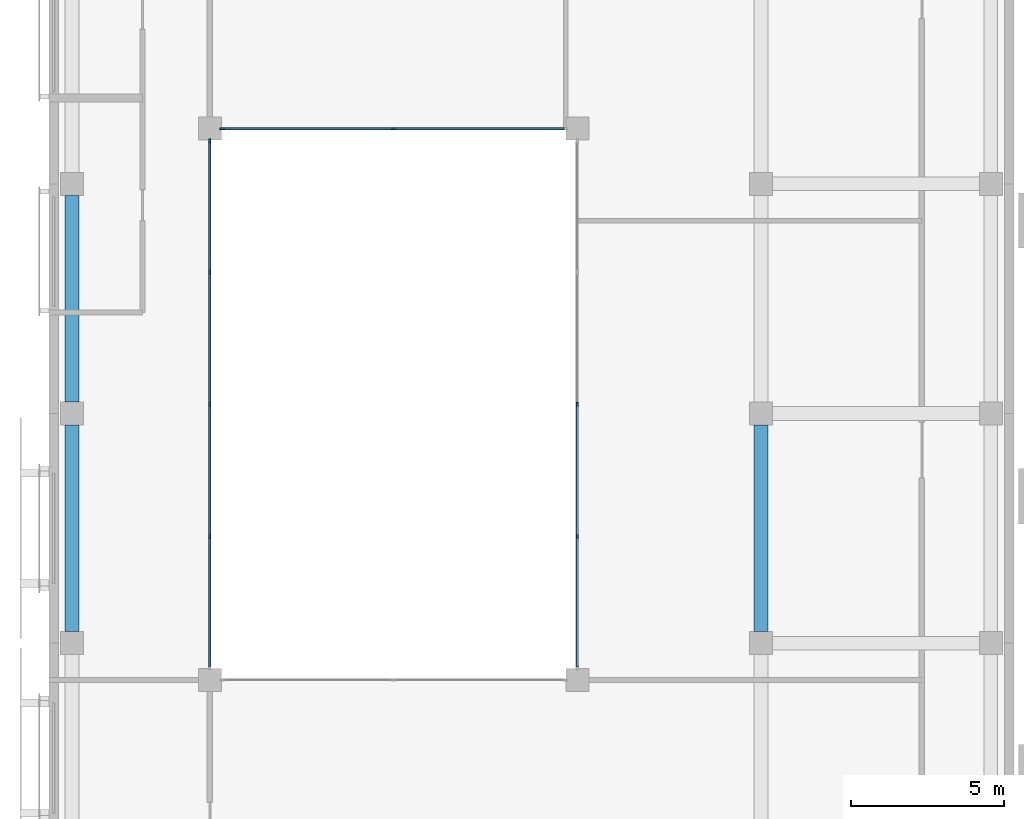
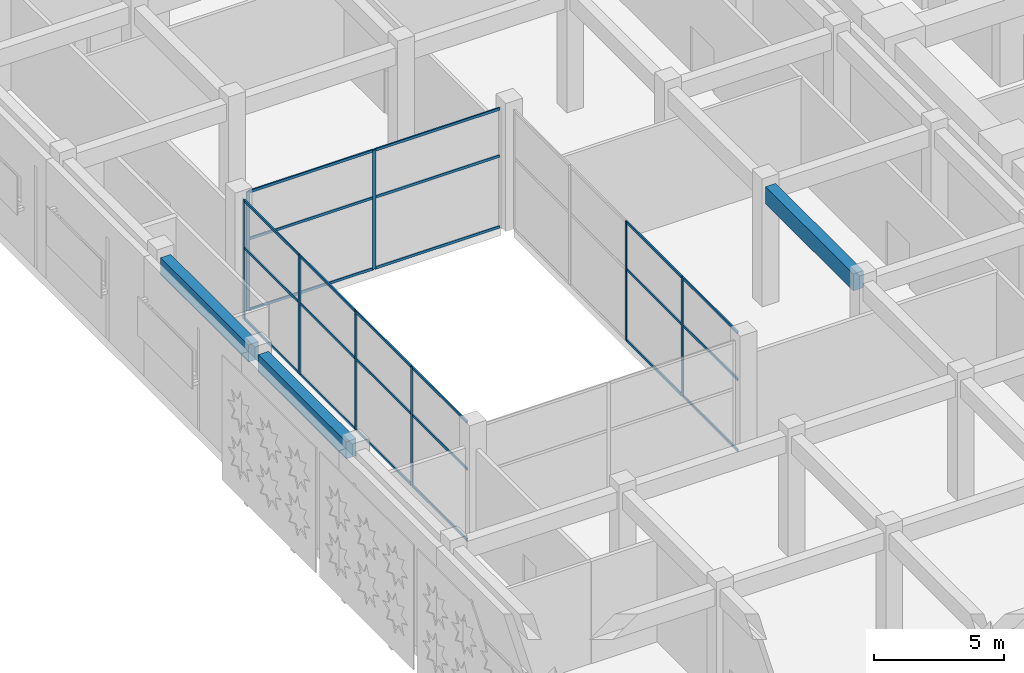
# One storey, part 3 of 46: 32 members, 3 beams, 3 elements without a shape of their own.
"""IFC4 building model written with IfcOpenShell, lengths in metres."""

from ifc_helpers import new_model, si_unit, direction, frame, origin, origin_2d, place, context, subcontext, project, spatial, rectangle, extrude, material, layer, layer_set, material_profile, profile_set, type_object, element, aggregate, save


model = new_model("IFC4")

# Units and contexts
model_context = context("Model", 3, precision=1e-05, world=origin(), true_north=direction((0.0, 1.0)))
body_context = subcontext(model_context, "Body", "Model", "MODEL_VIEW")
ifc_project = project(units=[si_unit("LENGTHUNIT", "METRE"), si_unit("AREAUNIT", "SQUARE_METRE"), si_unit("VOLUMEUNIT", "CUBIC_METRE"), si_unit("PLANEANGLEUNIT", "RADIAN"), si_unit("MASSUNIT", "GRAM", prefix="KILO")], contexts=[model_context])

# Site, building, storey
site_placement = place(None, origin())
site = spatial("IfcSite", under=ifc_project, at=site_placement, CompositionType="ELEMENT")
building_placement = place(site_placement, origin())
building = spatial("IfcBuilding", under=site, at=building_placement, Name="Tessera Arch", CompositionType="ELEMENT")
storey_placement = place(building_placement, frame((0.0, 0.0, 8.0)))
storey = spatial("IfcBuildingStorey", under=building, at=storey_placement, Name="L01", CompositionType="ELEMENT", Elevation=8.0)

# Curtain wall, members
ifc_material_1 = material(Name="Aluminium and clear glass", Category="aluminium")
ifc_layer = layer(ifc_material_1, 0.1201171875)
ifc_layer_set = layer_set([ifc_layer], Name="Courtyard curtain wall")
curtain_wall_type = type_object("IfcCurtainWallType", Name="Courtyard curtain wall", PredefinedType="NOTDEFINED", material=ifc_layer_set)
curtain_wall_1_placement = place(storey_placement, origin())
curtain_wall_1 = element("IfcCurtainWall", 1, at=curtain_wall_1_placement, inside=storey, type_object=curtain_wall_type, Name="Courtyard curtain wall L01 2", PredefinedType="NOTDEFINED")
ifc_material_2 = material(Name="Aluminium alloy anodised", Category="aluminium")
ifc_material_profile_1 = material_profile(ifc_material_2, rectangle(XDim=0.06005859375, YDim=0.14990234375, at=origin_2d()), Name="Courtyard mullion")
ifc_profile_set_1 = profile_set([ifc_material_profile_1], Name="Aluminium alloy anodised")
member_type_1 = type_object("IfcMemberType", Name="Courtyard mullion", PredefinedType="MULLION", material=ifc_profile_set_1)
member_1_placement = place(storey_placement, frame((-15.300048828125, 16.6875, 0.0), z_axis=(0.0, 0.0, 1.0), x_axis=(-1.0, 0.0, 0.0)))
member_1 = element("IfcMember", 2, at=member_1_placement, type_object=member_type_1, Name="MCW1 mullion 2", PredefinedType="MULLION", context=body_context, shape_type="SweptSolid", body=[
    extrude(rectangle(XDim=0.06005859375, YDim=0.14990234375, at=origin_2d()), origin(), (0.0, 0.0, 1.0), 5.590087890625),
])
member_2_placement = place(storey_placement, frame((-15.300048828125, 21.0, 0.0), z_axis=(0.0, 0.0, 1.0), x_axis=(-1.0, 0.0, 0.0)))
member_2 = element("IfcMember", 3, at=member_2_placement, type_object=member_type_1, Name="MCW1 mullion 3", PredefinedType="MULLION", context=body_context, shape_type="SweptSolid", body=[
    extrude(rectangle(XDim=0.06005859375, YDim=0.14990234375, at=origin_2d()), origin(), (0.0, 0.0, 1.0), 5.590087890625),
])

curtain_wall_2_placement = place(storey_placement, origin())
curtain_wall_2 = element("IfcCurtainWall", 4, at=curtain_wall_2_placement, inside=storey, type_object=curtain_wall_type, Name="Courtyard curtain wall L01 3", PredefinedType="NOTDEFINED")
member_3_placement = place(storey_placement, frame((-21.300048828125, 30.0, 0.0), z_axis=(0.0, 0.0, 1.0), x_axis=(0.0, -1.0, 0.0)))
member_3 = element("IfcMember", 5, at=member_3_placement, type_object=member_type_1, Name="MCW1 mullion 2", PredefinedType="MULLION", context=body_context, shape_type="SweptSolid", body=[
    extrude(rectangle(XDim=0.06005859375, YDim=0.14990234375, at=origin_2d()), origin(), (0.0, 0.0, 1.0), 5.590087890625),
])
member_4_placement = place(storey_placement, frame((-26.89501953125, 30.0, 0.0), z_axis=(0.0, 0.0, 1.0), x_axis=(0.0, -1.0, 0.0)))
member_4 = element("IfcMember", 6, at=member_4_placement, type_object=member_type_1, Name="MCW1 mullion 3", PredefinedType="MULLION", context=body_context, shape_type="SweptSolid", body=[
    extrude(rectangle(XDim=0.06005859375, YDim=0.14990234375, at=origin_2d()), origin(), (0.0, 0.0, 1.0), 5.590087890625),
])

curtain_wall_3_placement = place(storey_placement, origin())
curtain_wall_3 = element("IfcCurtainWall", 7, at=curtain_wall_3_placement, inside=storey, type_object=curtain_wall_type, Name="Courtyard curtain wall L01 4", PredefinedType="NOTDEFINED")
member_5_placement = place(storey_placement, frame((-27.300048828125, 29.594970703125, 0.0), z_axis=(0.0, 0.0, 1.0), x_axis=(1.0, 0.0, 0.0)))
member_5 = element("IfcMember", 8, at=member_5_placement, type_object=member_type_1, Name="MCW1 mullion 1", PredefinedType="MULLION", context=body_context, shape_type="SweptSolid", body=[
    extrude(rectangle(XDim=0.06005859375, YDim=0.14990234375, at=origin_2d()), origin(), (0.0, 0.0, 1.0), 5.590087890625),
])
member_6_placement = place(storey_placement, frame((-27.300048828125, 25.3125, 0.0), z_axis=(0.0, 0.0, 1.0), x_axis=(1.0, 0.0, 0.0)))
member_6 = element("IfcMember", 9, at=member_6_placement, type_object=member_type_1, Name="MCW1 mullion 2", PredefinedType="MULLION", context=body_context, shape_type="SweptSolid", body=[
    extrude(rectangle(XDim=0.06005859375, YDim=0.14990234375, at=origin_2d()), origin(), (0.0, 0.0, 1.0), 5.590087890625),
])
member_7_placement = place(storey_placement, frame((-27.300048828125, 21.0, 0.0), z_axis=(0.0, 0.0, 1.0), x_axis=(1.0, 0.0, 0.0)))
member_7 = element("IfcMember", 10, at=member_7_placement, type_object=member_type_1, Name="MCW1 mullion 3", PredefinedType="MULLION", context=body_context, shape_type="SweptSolid", body=[
    extrude(rectangle(XDim=0.06005859375, YDim=0.14990234375, at=origin_2d()), origin(), (0.0, 0.0, 1.0), 5.590087890625),
])
member_8_placement = place(storey_placement, frame((-27.300048828125, 16.6875, 0.0), z_axis=(0.0, 0.0, 1.0), x_axis=(1.0, 0.0, 0.0)))
member_8 = element("IfcMember", 11, at=member_8_placement, type_object=member_type_1, Name="MCW1 mullion 4", PredefinedType="MULLION", context=body_context, shape_type="SweptSolid", body=[
    extrude(rectangle(XDim=0.06005859375, YDim=0.14990234375, at=origin_2d()), origin(), (0.0, 0.0, 1.0), 5.590087890625),
])

# Member
ifc_material_3 = material(Name="Aluminium alloy anodised", Category="aluminium")
ifc_material_profile_2 = material_profile(ifc_material_3, rectangle(XDim=0.06005859375, YDim=0.1201171875, at=origin_2d()), Name="Courtyard transom")
ifc_profile_set_2 = profile_set([ifc_material_profile_2], Name="Aluminium alloy anodised")
member_type_2 = type_object("IfcMemberType", Name="Courtyard transom", PredefinedType="USERDEFINED", material=ifc_profile_set_2)
member_9_placement = place(storey_placement, frame((-15.300048828125, 12.43505859375, 0.030029296875), z_axis=(0.0, 1.0, 0.0), x_axis=(-1.0, 0.0, 0.0)))
member_9 = element("IfcMember", 12, at=member_9_placement, type_object=member_type_2, Name="MCW1 transom 1.1", ObjectType="TRANSOM", PredefinedType="USERDEFINED", context=body_context, shape_type="SweptSolid", body=[
    extrude(rectangle(XDim=0.06005859375, YDim=0.1201171875, at=origin_2d()), origin(), (0.0, 0.0, 1.0), 4.222412109375),
])

member_10_placement = place(storey_placement, frame((-15.300048828125, 12.43505859375, 3.35400390625), z_axis=(0.0, 1.0, 0.0), x_axis=(-1.0, 0.0, 0.0)))
member_10 = element("IfcMember", 13, at=member_10_placement, type_object=member_type_2, Name="MCW1 transom 1.2", ObjectType="TRANSOM", PredefinedType="USERDEFINED", context=body_context, shape_type="SweptSolid", body=[
    extrude(rectangle(XDim=0.06005859375, YDim=0.1201171875, at=origin_2d()), origin(), (0.0, 0.0, 1.0), 4.222412109375),
])

member_11_placement = place(storey_placement, frame((-15.300048828125, 12.43505859375, 5.56005859375), z_axis=(0.0, 1.0, 0.0), x_axis=(-1.0, 0.0, 0.0)))
member_11 = element("IfcMember", 14, at=member_11_placement, type_object=member_type_2, Name="MCW1 transom 1.3", ObjectType="TRANSOM", PredefinedType="USERDEFINED", context=body_context, shape_type="SweptSolid", body=[
    extrude(rectangle(XDim=0.06005859375, YDim=0.1201171875, at=origin_2d()), origin(), (0.0, 0.0, 1.0), 4.222412109375),
])

member_12_placement = place(storey_placement, frame((-15.300048828125, 16.717529296875, 0.030029296875), z_axis=(0.0, 1.0, 0.0), x_axis=(-1.0, 0.0, 0.0)))
member_12 = element("IfcMember", 15, at=member_12_placement, type_object=member_type_2, Name="MCW1 transom 2.1", ObjectType="TRANSOM", PredefinedType="USERDEFINED", context=body_context, shape_type="SweptSolid", body=[
    extrude(rectangle(XDim=0.06005859375, YDim=0.1201171875, at=origin_2d()), origin(), (0.0, 0.0, 1.0), 4.25244140625),
])

member_13_placement = place(storey_placement, frame((-15.300048828125, 16.717529296875, 3.35400390625), z_axis=(0.0, 1.0, 0.0), x_axis=(-1.0, 0.0, 0.0)))
member_13 = element("IfcMember", 16, at=member_13_placement, type_object=member_type_2, Name="MCW1 transom 2.2", ObjectType="TRANSOM", PredefinedType="USERDEFINED", context=body_context, shape_type="SweptSolid", body=[
    extrude(rectangle(XDim=0.06005859375, YDim=0.1201171875, at=origin_2d()), origin(), (0.0, 0.0, 1.0), 4.25244140625),
])

member_14_placement = place(storey_placement, frame((-15.300048828125, 16.717529296875, 5.56005859375), z_axis=(0.0, 1.0, 0.0), x_axis=(-1.0, 0.0, 0.0)))
member_14 = element("IfcMember", 17, at=member_14_placement, type_object=member_type_2, Name="MCW1 transom 2.3", ObjectType="TRANSOM", PredefinedType="USERDEFINED", context=body_context, shape_type="SweptSolid", body=[
    extrude(rectangle(XDim=0.06005859375, YDim=0.1201171875, at=origin_2d()), origin(), (0.0, 0.0, 1.0), 4.25244140625),
])

aggregate(curtain_wall_1, [member_1, member_2, member_9, member_10, member_11, member_12, member_13, member_14])

member_15_placement = place(storey_placement, frame((-15.735107421875, 30.0, 0.030029296875), z_axis=(-1.0, 0.0, 0.0), x_axis=(0.0, -1.0, 0.0)))
member_15 = element("IfcMember", 18, at=member_15_placement, type_object=member_type_2, Name="MCW1 transom 1.1", ObjectType="TRANSOM", PredefinedType="USERDEFINED", context=body_context, shape_type="SweptSolid", body=[
    extrude(rectangle(XDim=0.06005859375, YDim=0.1201171875, at=origin_2d()), origin(), (0.0, 0.0, 1.0), 5.534912109375),
])

member_16_placement = place(storey_placement, frame((-15.735107421875, 30.0, 3.35400390625), z_axis=(-1.0, 0.0, 0.0), x_axis=(0.0, -1.0, 0.0)))
member_16 = element("IfcMember", 19, at=member_16_placement, type_object=member_type_2, Name="MCW1 transom 1.2", ObjectType="TRANSOM", PredefinedType="USERDEFINED", context=body_context, shape_type="SweptSolid", body=[
    extrude(rectangle(XDim=0.06005859375, YDim=0.1201171875, at=origin_2d()), origin(), (0.0, 0.0, 1.0), 5.534912109375),
])

member_17_placement = place(storey_placement, frame((-15.735107421875, 30.0, 5.56005859375), z_axis=(-1.0, 0.0, 0.0), x_axis=(0.0, -1.0, 0.0)))
member_17 = element("IfcMember", 20, at=member_17_placement, type_object=member_type_2, Name="MCW1 transom 1.3", ObjectType="TRANSOM", PredefinedType="USERDEFINED", context=body_context, shape_type="SweptSolid", body=[
    extrude(rectangle(XDim=0.06005859375, YDim=0.1201171875, at=origin_2d()), origin(), (0.0, 0.0, 1.0), 5.534912109375),
])

member_18_placement = place(storey_placement, frame((-21.330078125, 30.0, 0.030029296875), z_axis=(-1.0, 0.0, 0.0), x_axis=(0.0, -1.0, 0.0)))
member_18 = element("IfcMember", 21, at=member_18_placement, type_object=member_type_2, Name="MCW1 transom 2.1", ObjectType="TRANSOM", PredefinedType="USERDEFINED", context=body_context, shape_type="SweptSolid", body=[
    extrude(rectangle(XDim=0.06005859375, YDim=0.1201171875, at=origin_2d()), origin(), (0.0, 0.0, 1.0), 5.534912109375),
])

member_19_placement = place(storey_placement, frame((-21.330078125, 30.0, 3.35400390625), z_axis=(-1.0, 0.0, 0.0), x_axis=(0.0, -1.0, 0.0)))
member_19 = element("IfcMember", 22, at=member_19_placement, type_object=member_type_2, Name="MCW1 transom 2.2", ObjectType="TRANSOM", PredefinedType="USERDEFINED", context=body_context, shape_type="SweptSolid", body=[
    extrude(rectangle(XDim=0.06005859375, YDim=0.1201171875, at=origin_2d()), origin(), (0.0, 0.0, 1.0), 5.534912109375),
])

member_20_placement = place(storey_placement, frame((-21.330078125, 30.0, 5.56005859375), z_axis=(-1.0, 0.0, 0.0), x_axis=(0.0, -1.0, 0.0)))
member_20 = element("IfcMember", 23, at=member_20_placement, type_object=member_type_2, Name="MCW1 transom 2.3", ObjectType="TRANSOM", PredefinedType="USERDEFINED", context=body_context, shape_type="SweptSolid", body=[
    extrude(rectangle(XDim=0.06005859375, YDim=0.1201171875, at=origin_2d()), origin(), (0.0, 0.0, 1.0), 5.534912109375),
])

aggregate(curtain_wall_2, [member_3, member_4, member_15, member_16, member_17, member_18, member_19, member_20])

member_21_placement = place(storey_placement, frame((-27.300048828125, 29.56494140625, 0.030029296875), z_axis=(0.0, -1.0, 0.0), x_axis=(1.0, 0.0, 0.0)))
member_21 = element("IfcMember", 24, at=member_21_placement, type_object=member_type_2, Name="MCW1 transom 1.1", ObjectType="TRANSOM", PredefinedType="USERDEFINED", context=body_context, shape_type="SweptSolid", body=[
    extrude(rectangle(XDim=0.06005859375, YDim=0.1201171875, at=origin_2d()), origin(), (0.0, 0.0, 1.0), 4.222412109375),
])

member_22_placement = place(storey_placement, frame((-27.300048828125, 29.56494140625, 3.35400390625), z_axis=(0.0, -1.0, 0.0), x_axis=(1.0, 0.0, 0.0)))
member_22 = element("IfcMember", 25, at=member_22_placement, type_object=member_type_2, Name="MCW1 transom 1.2", ObjectType="TRANSOM", PredefinedType="USERDEFINED", context=body_context, shape_type="SweptSolid", body=[
    extrude(rectangle(XDim=0.06005859375, YDim=0.1201171875, at=origin_2d()), origin(), (0.0, 0.0, 1.0), 4.222412109375),
])

member_23_placement = place(storey_placement, frame((-27.300048828125, 29.56494140625, 5.56005859375), z_axis=(0.0, -1.0, 0.0), x_axis=(1.0, 0.0, 0.0)))
member_23 = element("IfcMember", 26, at=member_23_placement, type_object=member_type_2, Name="MCW1 transom 1.3", ObjectType="TRANSOM", PredefinedType="USERDEFINED", context=body_context, shape_type="SweptSolid", body=[
    extrude(rectangle(XDim=0.06005859375, YDim=0.1201171875, at=origin_2d()), origin(), (0.0, 0.0, 1.0), 4.222412109375),
])

member_24_placement = place(storey_placement, frame((-27.300048828125, 25.282470703125, 0.030029296875), z_axis=(0.0, -1.0, 0.0), x_axis=(1.0, 0.0, 0.0)))
member_24 = element("IfcMember", 27, at=member_24_placement, type_object=member_type_2, Name="MCW1 transom 2.1", ObjectType="TRANSOM", PredefinedType="USERDEFINED", context=body_context, shape_type="SweptSolid", body=[
    extrude(rectangle(XDim=0.06005859375, YDim=0.1201171875, at=origin_2d()), origin(), (0.0, 0.0, 1.0), 4.25244140625),
])

member_25_placement = place(storey_placement, frame((-27.300048828125, 25.282470703125, 3.35400390625), z_axis=(0.0, -1.0, 0.0), x_axis=(1.0, 0.0, 0.0)))
member_25 = element("IfcMember", 28, at=member_25_placement, type_object=member_type_2, Name="MCW1 transom 2.2", ObjectType="TRANSOM", PredefinedType="USERDEFINED", context=body_context, shape_type="SweptSolid", body=[
    extrude(rectangle(XDim=0.06005859375, YDim=0.1201171875, at=origin_2d()), origin(), (0.0, 0.0, 1.0), 4.25244140625),
])

member_26_placement = place(storey_placement, frame((-27.300048828125, 25.282470703125, 5.56005859375), z_axis=(0.0, -1.0, 0.0), x_axis=(1.0, 0.0, 0.0)))
member_26 = element("IfcMember", 29, at=member_26_placement, type_object=member_type_2, Name="MCW1 transom 2.3", ObjectType="TRANSOM", PredefinedType="USERDEFINED", context=body_context, shape_type="SweptSolid", body=[
    extrude(rectangle(XDim=0.06005859375, YDim=0.1201171875, at=origin_2d()), origin(), (0.0, 0.0, 1.0), 4.25244140625),
])

member_27_placement = place(storey_placement, frame((-27.300048828125, 20.969970703125, 0.030029296875), z_axis=(0.0, -1.0, 0.0), x_axis=(1.0, 0.0, 0.0)))
member_27 = element("IfcMember", 30, at=member_27_placement, type_object=member_type_2, Name="MCW1 transom 3.1", ObjectType="TRANSOM", PredefinedType="USERDEFINED", context=body_context, shape_type="SweptSolid", body=[
    extrude(rectangle(XDim=0.06005859375, YDim=0.1201171875, at=origin_2d()), origin(), (0.0, 0.0, 1.0), 4.25244140625),
])

member_28_placement = place(storey_placement, frame((-27.300048828125, 20.969970703125, 3.35400390625), z_axis=(0.0, -1.0, 0.0), x_axis=(1.0, 0.0, 0.0)))
member_28 = element("IfcMember", 31, at=member_28_placement, type_object=member_type_2, Name="MCW1 transom 3.2", ObjectType="TRANSOM", PredefinedType="USERDEFINED", context=body_context, shape_type="SweptSolid", body=[
    extrude(rectangle(XDim=0.06005859375, YDim=0.1201171875, at=origin_2d()), origin(), (0.0, 0.0, 1.0), 4.25244140625),
])

member_29_placement = place(storey_placement, frame((-27.300048828125, 20.969970703125, 5.56005859375), z_axis=(0.0, -1.0, 0.0), x_axis=(1.0, 0.0, 0.0)))
member_29 = element("IfcMember", 32, at=member_29_placement, type_object=member_type_2, Name="MCW1 transom 3.3", ObjectType="TRANSOM", PredefinedType="USERDEFINED", context=body_context, shape_type="SweptSolid", body=[
    extrude(rectangle(XDim=0.06005859375, YDim=0.1201171875, at=origin_2d()), origin(), (0.0, 0.0, 1.0), 4.25244140625),
])

member_30_placement = place(storey_placement, frame((-27.300048828125, 16.657470703125, 0.030029296875), z_axis=(0.0, -1.0, 0.0), x_axis=(1.0, 0.0, 0.0)))
member_30 = element("IfcMember", 33, at=member_30_placement, type_object=member_type_2, Name="MCW1 transom 4.1", ObjectType="TRANSOM", PredefinedType="USERDEFINED", context=body_context, shape_type="SweptSolid", body=[
    extrude(rectangle(XDim=0.06005859375, YDim=0.1201171875, at=origin_2d()), origin(), (0.0, 0.0, 1.0), 4.222412109375),
])

member_31_placement = place(storey_placement, frame((-27.300048828125, 16.657470703125, 3.35400390625), z_axis=(0.0, -1.0, 0.0), x_axis=(1.0, 0.0, 0.0)))
member_31 = element("IfcMember", 34, at=member_31_placement, type_object=member_type_2, Name="MCW1 transom 4.2", ObjectType="TRANSOM", PredefinedType="USERDEFINED", context=body_context, shape_type="SweptSolid", body=[
    extrude(rectangle(XDim=0.06005859375, YDim=0.1201171875, at=origin_2d()), origin(), (0.0, 0.0, 1.0), 4.222412109375),
])

member_32_placement = place(storey_placement, frame((-27.300048828125, 16.657470703125, 5.56005859375), z_axis=(0.0, -1.0, 0.0), x_axis=(1.0, 0.0, 0.0)))
member_32 = element("IfcMember", 35, at=member_32_placement, type_object=member_type_2, Name="MCW1 transom 4.3", ObjectType="TRANSOM", PredefinedType="USERDEFINED", context=body_context, shape_type="SweptSolid", body=[
    extrude(rectangle(XDim=0.06005859375, YDim=0.1201171875, at=origin_2d()), origin(), (0.0, 0.0, 1.0), 4.222412109375),
])

aggregate(curtain_wall_3, [member_5, member_6, member_7, member_8, member_21, member_22, member_23, member_24, member_25, member_26, member_27, member_28, member_29, member_30, member_31, member_32])

# Beams
ifc_material_4 = material(Name="Concrete C40/50", Category="concrete")
ifc_material_profile_3 = material_profile(ifc_material_4, rectangle(XDim=0.449951171875, YDim=0.800048828125, at=origin_2d()), Name="Museum beam 450 x 800 Concrete C40/50")
ifc_profile_set_3 = profile_set([ifc_material_profile_3], Name="Concrete C40/50")
beam_type = type_object("IfcBeamType", Name="Museum beam 450 x 800 Concrete C40/50", PredefinedType="BEAM", material=ifc_profile_set_3)
for number, where, z_axis, x_axis, name in (
    (36, (-31.800048828125, 13.574951171875, 5.18994140625), (0.0, 1.0, 0.0), (-1.0, 0.0, 0.0), "Museum beam L01 6"),
    (37, (-31.800048828125, 21.074951171875, 5.18994140625), (0.0, 1.0, 0.0), (-1.0, 0.0, 0.0), "Museum beam L01 7"),
    (38, (-9.300048828125, 13.574951171875, 5.18994140625), (0.0, 1.0, 0.0), (-1.0, 0.0, 0.0), "Museum beam L01 28"),
):
    element("IfcBeam", number, at=place(storey_placement, frame(where, z_axis=z_axis, x_axis=x_axis)), inside=storey, type_object=beam_type, Name=name, PredefinedType="BEAM", context=body_context, shape_type="SweptSolid", body=[
        extrude(rectangle(XDim=0.449951171875, YDim=0.800048828125, at=origin_2d()), origin(), (0.0, 0.0, 1.0), 6.75),
    ])

save(model, "model.ifc")
